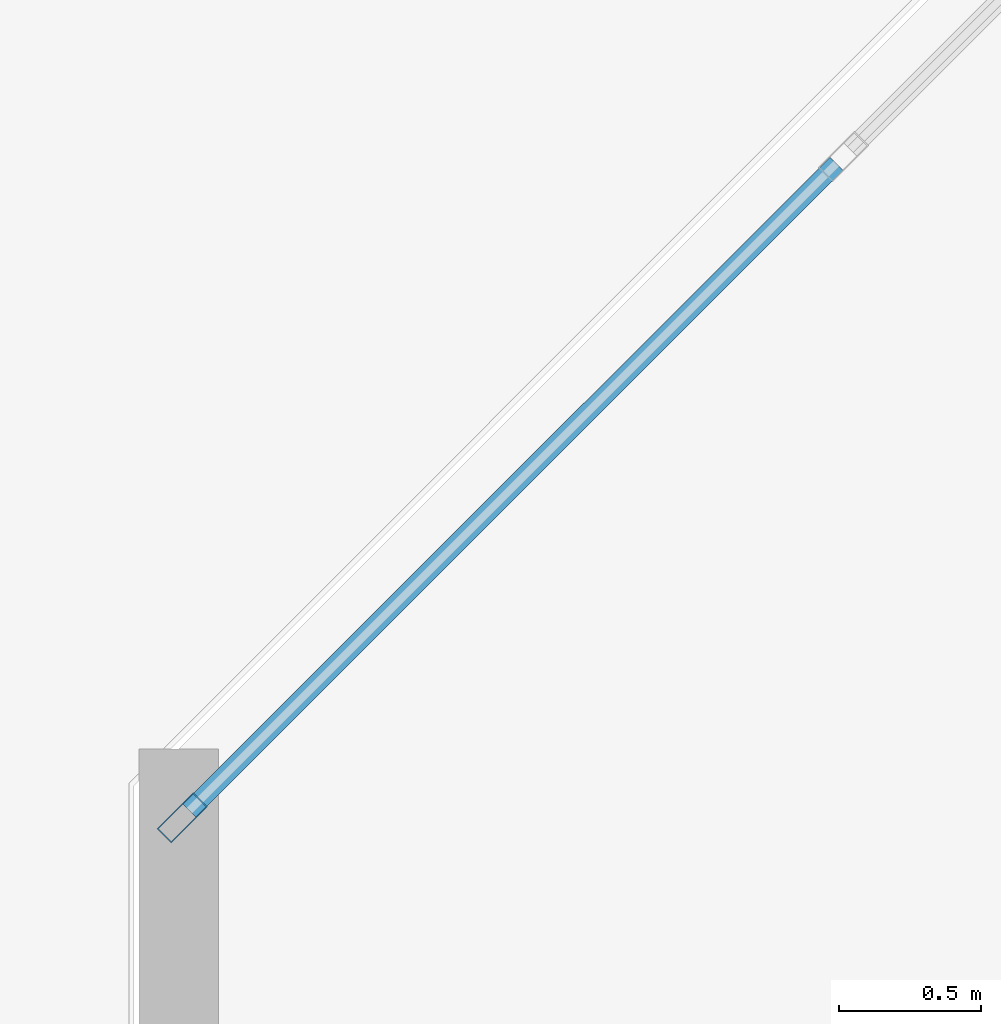
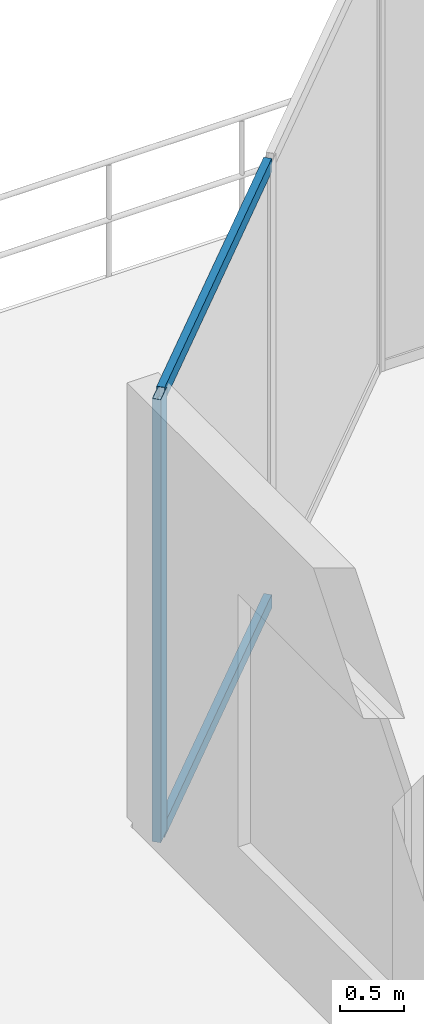
# One storey, part 12 of 31: 3 members, 1 element without a shape of its own.
"""IFC4 building model written with IfcOpenShell, lengths in metres."""

import ifcopenshell
import ifcopenshell.guid

model = None  # the IFC model being written
_history = None  # IfcOwnerHistory: only IFC2X3 demands one
_inside = {}  # id of a spatial element -> (the spatial element, [elements in it])
_under = {}  # id of a project, library or spatial element -> (it, [spatial elements below it])
_declared = {}  # id of a project -> (the project, [libraries it declares])
_typed = {}  # id of a type object -> (the type object, [elements of that type])
_made_of = {}  # id of a material, layer set ... -> (it, [elements and type objects made of it])


def new_model(schema):
    """Start an empty IFC model of exactly this schema.

    Asked for "IFC4X3", IfcOpenShell would pick the latest addendum, in which some entities
    have other attributes; the version numbers below select the first issue.
    IFC2X3 requires an IfcOwnerHistory on every rooted entity: one is made here for all.
    """
    global model, _history
    if schema == "IFC4X3":
        model = ifcopenshell.file(schema_version=(4, 3, 0, 0))
    else:
        model = ifcopenshell.file(schema=schema)
    _inside.clear()
    _under.clear()
    _declared.clear()
    _typed.clear()
    _made_of.clear()
    _history = None
    if model.schema == "IFC2X3":
        org = make("IfcOrganization", Name="unknown")
        user = make(
            "IfcPersonAndOrganization",
            ThePerson=make("IfcPerson", FamilyName="unknown"),
            TheOrganization=org,
        )
        app = make(
            "IfcApplication",
            ApplicationDeveloper=org,
            Version="unknown",
            ApplicationFullName="unknown",
            ApplicationIdentifier="unknown",
        )
        _history = make(
            "IfcOwnerHistory",
            OwningUser=user,
            OwningApplication=app,
            ChangeAction="ADDED",
            CreationDate=0,
        )
    return model


def make(cls, **values):
    """One entity of the class cls with the attributes given. An attribute that is None is left unset."""
    return model.create_entity(
        cls, **{name: value for name, value in values.items() if value is not None}
    )


def rooted(cls, **values):
    """An entity with a GlobalId (a new one), such as an element, a storey or a relation."""
    return make(cls, GlobalId=ifcopenshell.guid.new(), OwnerHistory=_history, **values)


def si_unit(unit_type, name, prefix=None):
    """IfcSIUnit, for example si_unit("LENGTHUNIT", "METRE", prefix="MILLI")."""
    return make("IfcSIUnit", UnitType=unit_type, Prefix=prefix, Name=name)


def assignment(units):
    """IfcUnitAssignment: the units of a project."""
    return None if units is None else make("IfcUnitAssignment", Units=units)


def point(xyz):
    """IfcCartesianPoint."""
    return None if xyz is None else make("IfcCartesianPoint", Coordinates=xyz)


def direction(xyz):
    """IfcDirection."""
    return None if xyz is None else make("IfcDirection", DirectionRatios=xyz)


def frame(location, z_axis=None, x_axis=None):
    """IfcAxis2Placement3D, a coordinate frame: its origin and axes. An axis left out is left unset."""
    return make(
        "IfcAxis2Placement3D",
        Location=point(location),
        Axis=direction(z_axis),
        RefDirection=direction(x_axis),
    )


def frame_2d(location, x_axis=None):
    """IfcAxis2Placement2D, a coordinate frame in the plane: its origin and x axis."""
    return make(
        "IfcAxis2Placement2D", Location=point(location), RefDirection=direction(x_axis)
    )


def origin():
    """The frame at (0, 0, 0) with its axes left unset."""
    return frame((0.0, 0.0, 0.0))


def origin_2d():
    """The frame at (0, 0) in the plane with its x axis left unset."""
    return frame_2d((0.0, 0.0))


def place(relative_to, where):
    """IfcLocalPlacement: puts the frame where relative to a parent placement (None: the world)."""
    return make(
        "IfcLocalPlacement", PlacementRelTo=relative_to, RelativePlacement=where
    )


def context(
    kind, dimensions, precision=None, world=None, true_north=None, identifier=None
):
    """IfcGeometricRepresentationContext, for example the 3D "Model" context."""
    return make(
        "IfcGeometricRepresentationContext",
        ContextIdentifier=identifier,
        ContextType=kind,
        CoordinateSpaceDimension=dimensions,
        Precision=precision,
        WorldCoordinateSystem=world,
        TrueNorth=true_north,
    )


def subcontext(parent, identifier, kind, view, scale=None):
    """IfcGeometricRepresentationSubContext, for example "Body" below "Model"."""
    return make(
        "IfcGeometricRepresentationSubContext",
        ContextIdentifier=identifier,
        ContextType=kind,
        ParentContext=parent,
        TargetScale=scale,
        TargetView=view,
    )


def project(units=None, contexts=None):
    """IfcProject with its units and contexts."""
    return rooted(
        "IfcProject",
        Name="project",
        RepresentationContexts=contexts,
        UnitsInContext=assignment(units),
    )


def spatial(cls, under=None, at=None, **own):
    """A site, building, storey or space (cls), placed at a placement, below another one or the project."""
    s = rooted(cls, ObjectPlacement=at, **own)
    if under is not None:
        _under.setdefault(under.id(), (under, []))[1].append(s)
    return s


def profile(cls, at=None, kind="AREA", **sizes):
    """A parametric profile (cls). Its sizes go by their IFC names, for example OverallWidth=200.0."""
    return make(cls, ProfileType=kind, Position=at, **sizes)


def hollow_rectangle(**sizes):
    """IfcRectangleHollowProfileDef."""
    return profile("IfcRectangleHollowProfileDef", **sizes)


def extrude(swept, where, along, depth):
    """IfcExtrudedAreaSolid: the profile swept, set in the frame where, extruded along a direction by depth."""
    return make(
        "IfcExtrudedAreaSolid",
        SweptArea=swept,
        Position=where,
        ExtrudedDirection=direction(along),
        Depth=depth,
    )


def shape(context_of_items, identifier, shape_type, items):
    """IfcShapeRepresentation: the items that make up one representation, for example the "Body"."""
    return make(
        "IfcShapeRepresentation",
        ContextOfItems=context_of_items,
        RepresentationIdentifier=identifier,
        RepresentationType=shape_type,
        Items=items,
    )


def material(Name=None, Category=None):
    """IfcMaterial."""
    return make("IfcMaterial", Name=Name, Category=Category)


def layer(
    of_material, thickness, ventilated=None, Name=None, Category=None, Priority=None
):
    """IfcMaterialLayer: one layer of a wall or slab, of a material (None: an air gap)."""
    return make(
        "IfcMaterialLayer",
        Material=of_material,
        LayerThickness=thickness,
        IsVentilated=ventilated,
        Name=Name,
        Category=Category,
        Priority=Priority,
    )


def layer_set(layers, Name=None):
    """IfcMaterialLayerSet."""
    return make("IfcMaterialLayerSet", MaterialLayers=layers, LayerSetName=Name)


def material_profile(
    of_material, cross_section, Name=None, Category=None, Priority=None
):
    """IfcMaterialProfile: a cross section and its material."""
    return make(
        "IfcMaterialProfile",
        Name=Name,
        Material=of_material,
        Profile=cross_section,
        Priority=Priority,
        Category=Category,
    )


def profile_set(profiles, Name=None, composite=None):
    """IfcMaterialProfileSet."""
    return make(
        "IfcMaterialProfileSet",
        Name=Name,
        MaterialProfiles=profiles,
        CompositeProfile=composite,
    )


def made_of(thing, what):
    """Note that an element or type object is made of a material, layer set ...; save() writes the relation."""
    if what is not None:
        _made_of.setdefault(what.id(), (what, []))[1].append(thing)
    return thing


def type_object(cls, material=None, **own):
    """A type object (cls), such as IfcWallType, which elements share."""
    return made_of(rooted(cls, **own), material)


def element(
    cls,
    number,
    at=None,
    inside=None,
    cuts=None,
    type_object=None,
    material=None,
    context=None,
    identifier="Body",
    shape_type=None,
    held_by="IfcProductDefinitionShape",
    body=None,
    shapes=None,
    **own,
):
    """One element of the class cls, such as IfcWall. Its Tag is "e" and its number.

    at: its placement. inside: the storey or other place that contains it. cuts: it is an
    opening in that element (IfcRelVoidsElement). A single representation is given by context,
    identifier, shape_type and body (its items); several are given by shapes. held_by: the class
    of the entity that holds the representations. save() writes the other relations.
    """
    e = rooted(cls, Tag="e%d" % number, ObjectPlacement=at, **own)
    if body is not None:
        shapes = [shape(context, identifier, shape_type, body)]
    if shapes is not None:
        e.Representation = make(held_by, Representations=shapes)
    if inside is not None:
        _inside.setdefault(inside.id(), (inside, []))[1].append(e)
    if cuts is not None:
        rooted(
            "IfcRelVoidsElement", RelatingBuildingElement=cuts, RelatedOpeningElement=e
        )
    if type_object is not None:
        _typed.setdefault(type_object.id(), (type_object, []))[1].append(e)
    return made_of(e, material)


def aggregate(whole, parts):
    """IfcRelAggregates: a whole, such as a stair, and the parts it consists of."""
    return rooted("IfcRelAggregates", RelatingObject=whole, RelatedObjects=parts)


def save(model, path):
    """Write the relations noted so far, then the file.

    IfcRelAggregates (storeys below a building ...), IfcRelContainedInSpatialStructure (elements
    in a storey), IfcRelDefinesByType, IfcRelAssociatesMaterial and IfcRelDeclares: one each for
    every whole, place, type object, material and project.
    """
    for whole, parts in _under.values():
        aggregate(whole, parts)
    for where, things in _inside.values():
        rooted(
            "IfcRelContainedInSpatialStructure",
            RelatedElements=things,
            RelatingStructure=where,
        )
    for kind, things in _typed.values():
        rooted("IfcRelDefinesByType", RelatedObjects=things, RelatingType=kind)
    for what, things in _made_of.values():
        rooted("IfcRelAssociatesMaterial", RelatedObjects=things, RelatingMaterial=what)
    for by, libraries in _declared.values():
        rooted("IfcRelDeclares", RelatingContext=by, RelatedDefinitions=libraries)
    model.write(path)


model = new_model("IFC4")

# Units and contexts
model_context = context("Model", 3, precision=1e-05, world=origin(), true_north=direction((0.0, 1.0)))
body_context = subcontext(model_context, "Body", "Model", "MODEL_VIEW")
ifc_project = project(units=[si_unit("LENGTHUNIT", "METRE"), si_unit("AREAUNIT", "SQUARE_METRE"), si_unit("VOLUMEUNIT", "CUBIC_METRE"), si_unit("PLANEANGLEUNIT", "RADIAN"), si_unit("MASSUNIT", "GRAM", prefix="KILO")], contexts=[model_context])

# Site, building, storey
site_placement = place(None, origin())
site = spatial("IfcSite", under=ifc_project, at=site_placement, CompositionType="ELEMENT")
building_placement = place(site_placement, origin())
building = spatial("IfcBuilding", under=site, at=building_placement, Name="Caelvoria Tower", CompositionType="ELEMENT")
storey_placement = place(building_placement, frame((0.0, 0.0, 9.5)))
storey = spatial("IfcBuildingStorey", under=building, at=storey_placement, Name="L02", CompositionType="ELEMENT", Elevation=9.5)

# Curtain wall, members
ifc_material_1 = material(Name="Anodised Bronze Aluminium and Low-E Glass", Category="aluminium")
ifc_layer = layer(ifc_material_1, 0.199951171875, Name="Anodised Bronze Aluminium and Low-E Glass")
ifc_layer_set = layer_set([ifc_layer], Name="CW System 1 Podium Arcade Unitised Glazing - Anodised Bronze Aluminium and Low-E Glass")
curtain_wall_type = type_object("IfcCurtainWallType", Name="CW System 1 Podium Arcade Unitised Glazing", PredefinedType="NOTDEFINED", material=ifc_layer_set)
curtain_wall_placement = place(storey_placement, origin())
curtain_wall = element("IfcCurtainWall", 1, at=curtain_wall_placement, inside=storey, type_object=curtain_wall_type, Name="CW-01 Curtain Wall L02-E5", PredefinedType="NOTDEFINED")
ifc_material_2 = material(Name="Anodised Bronze Architectural Aluminium", Category="aluminium")
ifc_material_profile_1 = material_profile(ifc_material_2, hollow_rectangle(XDim=0.070068359375, YDim=0.179931640625, WallThickness=0.00390625, at=origin_2d()), Name="Anodised Bronze Architectural Aluminium")
ifc_profile_set_1 = profile_set([ifc_material_profile_1], Name="CW_MULL_70X180 - Anodised Bronze Architectural Aluminium")
member_type_1 = type_object("IfcMemberType", Name="Curtain Wall Mullion 70x180 Bronze Aluminium", PredefinedType="MULLION", material=ifc_profile_set_1)
member_1_placement = place(storey_placement, frame((9.152099609375, 52.99755859375, 0.0), z_axis=(0.0, 0.0, 1.0), x_axis=(0.707106781187, -0.707106781187, 0.0)))
member_1 = element("IfcMember", 2, at=member_1_placement, type_object=member_type_1, Name="CW-01 mullion 3", PredefinedType="MULLION", context=body_context, shape_type="SweptSolid", body=[
    extrude(hollow_rectangle(XDim=0.070068359375, YDim=0.179931640625, WallThickness=0.00390625, at=origin_2d()), origin(), (0.0, 0.0, 1.0), 4.2099609375),
])
ifc_material_profile_2 = material_profile(ifc_material_2, hollow_rectangle(XDim=0.06494140625, YDim=0.1298828125, WallThickness=0.00341796875, at=origin_2d()), Name="Anodised Bronze Architectural Aluminium")
ifc_profile_set_2 = profile_set([ifc_material_profile_2], Name="CW_TRAN_65X130 - Anodised Bronze Architectural Aluminium")
member_type_2 = type_object("IfcMemberType", Name="Curtain Wall Transom 65x130 Bronze Aluminium", PredefinedType="USERDEFINED", material=ifc_profile_set_2)
member_2_placement = place(storey_placement, frame((11.45263671875, 55.2978515625, 0.032470703125), z_axis=(-0.707144708978, -0.707068851361, 0.0), x_axis=(0.707068851361, -0.707144708978, 0.0)))
member_2 = element("IfcMember", 3, at=member_2_placement, type_object=member_type_2, Name="CW-01 transom 2.1", ObjectType="TRANSOM", PredefinedType="USERDEFINED", context=body_context, shape_type="SweptSolid", body=[
    extrude(hollow_rectangle(XDim=0.06494140625, YDim=0.1298828125, WallThickness=0.00341796875, at=origin_2d()), origin(), (0.0, 0.0, 1.0), 3.218505859375),
])
member_3_placement = place(storey_placement, frame((11.45263671875, 55.2978515625, 4.177490234375), z_axis=(-0.707144708978, -0.707068851361, 0.0), x_axis=(0.707068851361, -0.707144708978, 0.0)))
member_3 = element("IfcMember", 4, at=member_3_placement, type_object=member_type_2, Name="CW-01 transom 2.2", ObjectType="TRANSOM", PredefinedType="USERDEFINED", context=body_context, shape_type="SweptSolid", body=[
    extrude(hollow_rectangle(XDim=0.06494140625, YDim=0.1298828125, WallThickness=0.00341796875, at=origin_2d()), origin(), (0.0, 0.0, 1.0), 3.218505859375),
])
aggregate(curtain_wall, [member_1, member_2, member_3])

save(model, "model.ifc")
